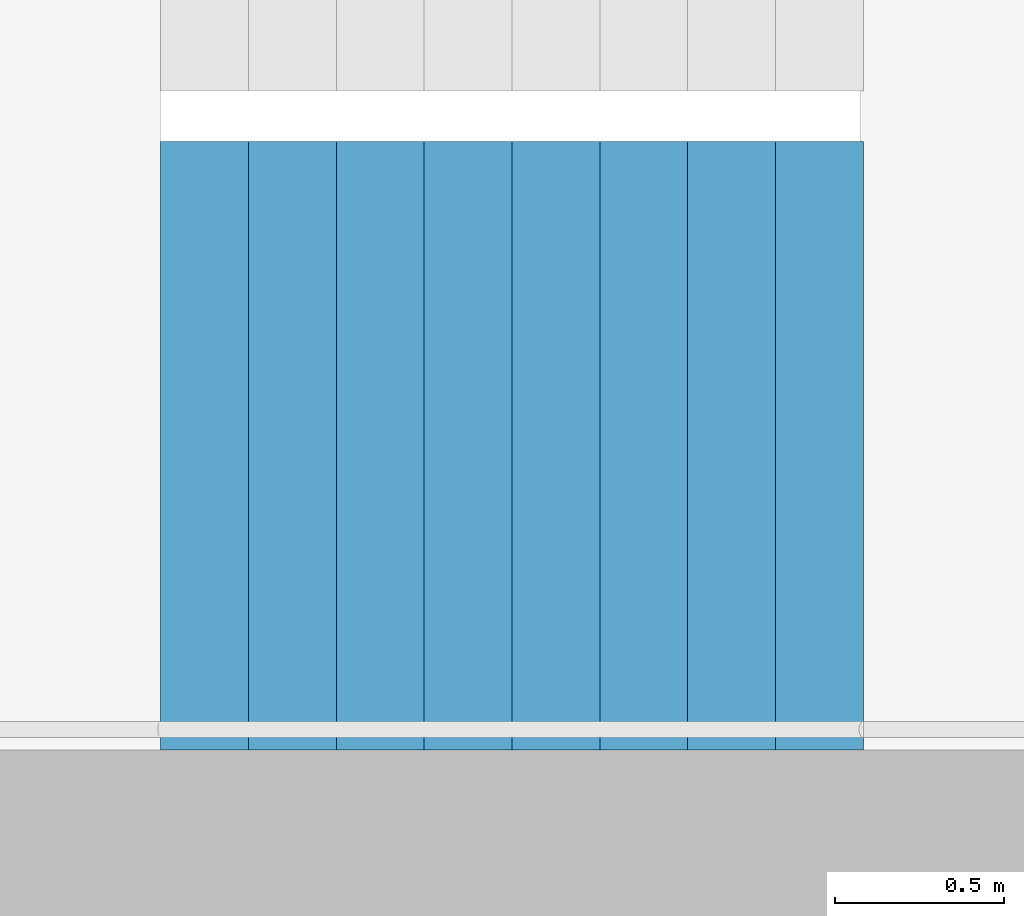
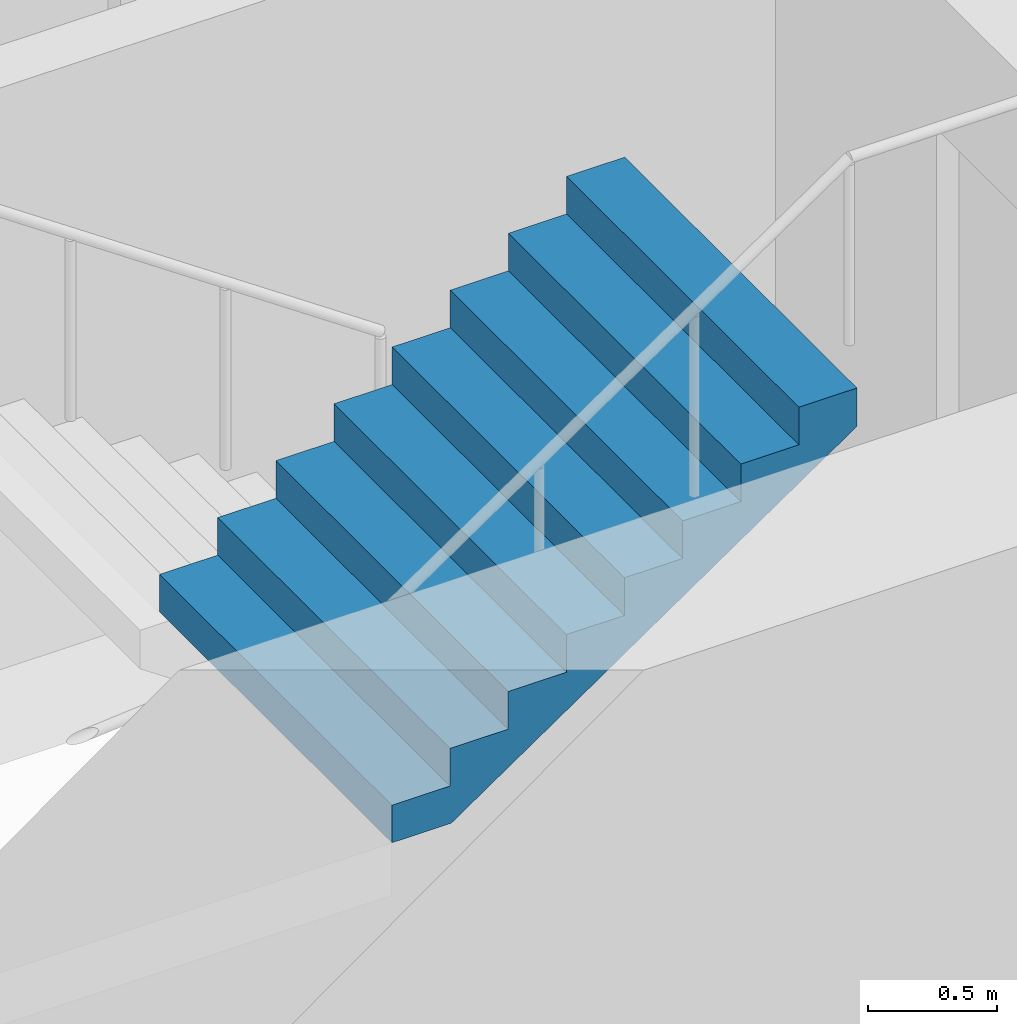
# One storey, part 18 of 26: 1 stair flight, 1 element without a shape of its own.
"""IFC4 building model written with IfcOpenShell, lengths in metres."""

import ifcopenshell
import ifcopenshell.guid

model = None  # the IFC model being written
_history = None  # IfcOwnerHistory: only IFC2X3 demands one
_inside = {}  # id of a spatial element -> (the spatial element, [elements in it])
_under = {}  # id of a project, library or spatial element -> (it, [spatial elements below it])
_declared = {}  # id of a project -> (the project, [libraries it declares])
_typed = {}  # id of a type object -> (the type object, [elements of that type])
_made_of = {}  # id of a material, layer set ... -> (it, [elements and type objects made of it])


def new_model(schema):
    """Start an empty IFC model of exactly this schema.

    Asked for "IFC4X3", IfcOpenShell would pick the latest addendum, in which some entities
    have other attributes; the version numbers below select the first issue.
    IFC2X3 requires an IfcOwnerHistory on every rooted entity: one is made here for all.
    """
    global model, _history
    if schema == "IFC4X3":
        model = ifcopenshell.file(schema_version=(4, 3, 0, 0))
    else:
        model = ifcopenshell.file(schema=schema)
    _inside.clear()
    _under.clear()
    _declared.clear()
    _typed.clear()
    _made_of.clear()
    _history = None
    if model.schema == "IFC2X3":
        org = make("IfcOrganization", Name="unknown")
        user = make(
            "IfcPersonAndOrganization",
            ThePerson=make("IfcPerson", FamilyName="unknown"),
            TheOrganization=org,
        )
        app = make(
            "IfcApplication",
            ApplicationDeveloper=org,
            Version="unknown",
            ApplicationFullName="unknown",
            ApplicationIdentifier="unknown",
        )
        _history = make(
            "IfcOwnerHistory",
            OwningUser=user,
            OwningApplication=app,
            ChangeAction="ADDED",
            CreationDate=0,
        )
    return model


def make(cls, **values):
    """One entity of the class cls with the attributes given. An attribute that is None is left unset."""
    return model.create_entity(
        cls, **{name: value for name, value in values.items() if value is not None}
    )


def rooted(cls, **values):
    """An entity with a GlobalId (a new one), such as an element, a storey or a relation."""
    return make(cls, GlobalId=ifcopenshell.guid.new(), OwnerHistory=_history, **values)


def si_unit(unit_type, name, prefix=None):
    """IfcSIUnit, for example si_unit("LENGTHUNIT", "METRE", prefix="MILLI")."""
    return make("IfcSIUnit", UnitType=unit_type, Prefix=prefix, Name=name)


def assignment(units):
    """IfcUnitAssignment: the units of a project."""
    return None if units is None else make("IfcUnitAssignment", Units=units)


def point(xyz):
    """IfcCartesianPoint."""
    return None if xyz is None else make("IfcCartesianPoint", Coordinates=xyz)


def direction(xyz):
    """IfcDirection."""
    return None if xyz is None else make("IfcDirection", DirectionRatios=xyz)


def frame(location, z_axis=None, x_axis=None):
    """IfcAxis2Placement3D, a coordinate frame: its origin and axes. An axis left out is left unset."""
    return make(
        "IfcAxis2Placement3D",
        Location=point(location),
        Axis=direction(z_axis),
        RefDirection=direction(x_axis),
    )


def origin():
    """The frame at (0, 0, 0) with its axes left unset."""
    return frame((0.0, 0.0, 0.0))


def place(relative_to, where):
    """IfcLocalPlacement: puts the frame where relative to a parent placement (None: the world)."""
    return make(
        "IfcLocalPlacement", PlacementRelTo=relative_to, RelativePlacement=where
    )


def context(
    kind, dimensions, precision=None, world=None, true_north=None, identifier=None
):
    """IfcGeometricRepresentationContext, for example the 3D "Model" context."""
    return make(
        "IfcGeometricRepresentationContext",
        ContextIdentifier=identifier,
        ContextType=kind,
        CoordinateSpaceDimension=dimensions,
        Precision=precision,
        WorldCoordinateSystem=world,
        TrueNorth=true_north,
    )


def subcontext(parent, identifier, kind, view, scale=None):
    """IfcGeometricRepresentationSubContext, for example "Body" below "Model"."""
    return make(
        "IfcGeometricRepresentationSubContext",
        ContextIdentifier=identifier,
        ContextType=kind,
        ParentContext=parent,
        TargetScale=scale,
        TargetView=view,
    )


def project(units=None, contexts=None):
    """IfcProject with its units and contexts."""
    return rooted(
        "IfcProject",
        Name="project",
        RepresentationContexts=contexts,
        UnitsInContext=assignment(units),
    )


def spatial(cls, under=None, at=None, **own):
    """A site, building, storey or space (cls), placed at a placement, below another one or the project."""
    s = rooted(cls, ObjectPlacement=at, **own)
    if under is not None:
        _under.setdefault(under.id(), (under, []))[1].append(s)
    return s


def point_list(points):
    """IfcCartesianPointList2D or 3D."""
    cls = (
        "IfcCartesianPointList2D" if len(points[0]) == 2 else "IfcCartesianPointList3D"
    )
    return make(cls, CoordList=points)


def triangles(points, corners, closed=None, point_numbers=None):
    """IfcTriangulatedFaceSet: each triangle names its three corners, points numbered from 1."""
    return make(
        "IfcTriangulatedFaceSet",
        Coordinates=point_list(points),
        Closed=closed,
        CoordIndex=corners,
        PnIndex=point_numbers,
    )


def shape(context_of_items, identifier, shape_type, items):
    """IfcShapeRepresentation: the items that make up one representation, for example the "Body"."""
    return make(
        "IfcShapeRepresentation",
        ContextOfItems=context_of_items,
        RepresentationIdentifier=identifier,
        RepresentationType=shape_type,
        Items=items,
    )


def material(Name=None, Category=None):
    """IfcMaterial."""
    return make("IfcMaterial", Name=Name, Category=Category)


def made_of(thing, what):
    """Note that an element or type object is made of a material, layer set ...; save() writes the relation."""
    if what is not None:
        _made_of.setdefault(what.id(), (what, []))[1].append(thing)
    return thing


def type_object(cls, material=None, **own):
    """A type object (cls), such as IfcWallType, which elements share."""
    return made_of(rooted(cls, **own), material)


def element(
    cls,
    number,
    at=None,
    inside=None,
    cuts=None,
    type_object=None,
    material=None,
    context=None,
    identifier="Body",
    shape_type=None,
    held_by="IfcProductDefinitionShape",
    body=None,
    shapes=None,
    **own,
):
    """One element of the class cls, such as IfcWall. Its Tag is "e" and its number.

    at: its placement. inside: the storey or other place that contains it. cuts: it is an
    opening in that element (IfcRelVoidsElement). A single representation is given by context,
    identifier, shape_type and body (its items); several are given by shapes. held_by: the class
    of the entity that holds the representations. save() writes the other relations.
    """
    e = rooted(cls, Tag="e%d" % number, ObjectPlacement=at, **own)
    if body is not None:
        shapes = [shape(context, identifier, shape_type, body)]
    if shapes is not None:
        e.Representation = make(held_by, Representations=shapes)
    if inside is not None:
        _inside.setdefault(inside.id(), (inside, []))[1].append(e)
    if cuts is not None:
        rooted(
            "IfcRelVoidsElement", RelatingBuildingElement=cuts, RelatedOpeningElement=e
        )
    if type_object is not None:
        _typed.setdefault(type_object.id(), (type_object, []))[1].append(e)
    return made_of(e, material)


def aggregate(whole, parts):
    """IfcRelAggregates: a whole, such as a stair, and the parts it consists of."""
    return rooted("IfcRelAggregates", RelatingObject=whole, RelatedObjects=parts)


def save(model, path):
    """Write the relations noted so far, then the file.

    IfcRelAggregates (storeys below a building ...), IfcRelContainedInSpatialStructure (elements
    in a storey), IfcRelDefinesByType, IfcRelAssociatesMaterial and IfcRelDeclares: one each for
    every whole, place, type object, material and project.
    """
    for whole, parts in _under.values():
        aggregate(whole, parts)
    for where, things in _inside.values():
        rooted(
            "IfcRelContainedInSpatialStructure",
            RelatedElements=things,
            RelatingStructure=where,
        )
    for kind, things in _typed.values():
        rooted("IfcRelDefinesByType", RelatedObjects=things, RelatingType=kind)
    for what, things in _made_of.values():
        rooted("IfcRelAssociatesMaterial", RelatedObjects=things, RelatingMaterial=what)
    for by, libraries in _declared.values():
        rooted("IfcRelDeclares", RelatingContext=by, RelatedDefinitions=libraries)
    model.write(path)


model = new_model("IFC4")

# Units and contexts
model_context = context("Model", 3, precision=1e-05, world=origin(), true_north=direction((0.0, 1.0)))
body_context = subcontext(model_context, "Body", "Model", "MODEL_VIEW")
ifc_project = project(units=[si_unit("LENGTHUNIT", "METRE"), si_unit("AREAUNIT", "SQUARE_METRE"), si_unit("VOLUMEUNIT", "CUBIC_METRE"), si_unit("PLANEANGLEUNIT", "RADIAN"), si_unit("MASSUNIT", "GRAM", prefix="KILO")], contexts=[model_context])

# Site, building, storey
site_placement = place(None, origin())
site = spatial("IfcSite", under=ifc_project, at=site_placement, CompositionType="ELEMENT")
building_placement = place(site_placement, origin())
building = spatial("IfcBuilding", under=site, at=building_placement, Name="Hakoniwa Tower and Hamabe Station Hall", CompositionType="ELEMENT")
storey_placement = place(building_placement, frame((0.0, 0.0, 209.0)))
storey = spatial("IfcBuildingStorey", under=building, at=storey_placement, Name="L59", CompositionType="ELEMENT", Elevation=209.0)

# Stair, stair flight
ifc_material_1 = material(Name="Concrete C40", Category="concrete")
stair_type = type_object("IfcStairType", Name="ESCAPE STAIR 1800", PredefinedType="HALF_TURN_STAIR", material=ifc_material_1)
stair_placement = place(storey_placement, origin())
stair = element("IfcStair", 1, at=stair_placement, inside=storey, type_object=stair_type, Name="Escape stair ST-2 L59", PredefinedType="HALF_TURN_STAIR")
ifc_material_2 = material(Name="Concrete C40", Category="concrete")
stair_flight_type = type_object("IfcStairFlightType", Name="STAIR FLIGHT 1800", PredefinedType="STRAIGHT", material=ifc_material_2)
stair_flight_placement = place(storey_placement, frame((-25.47998046875, -6.60009765625, 1.60009765625), z_axis=(0.0, 0.0, 1.0), x_axis=(1.0, 0.0, 0.0)))
stair_flight = element("IfcStairFlight", 2, at=stair_flight_placement, type_object=stair_flight_type, Name="ST-2 flight 2", NumberOfRisers=9, NumberOfTreads=8, PredefinedType="STRAIGHT", RiserHeight=0.177777778, TreadLength=0.26, context=body_context, shape_type="Tessellation", body=[
    triangles([(0.0, 0.89990234375, 0.0), (0.260009765625, 0.89990234375, 0.0), (0.265625, 0.89990234375, 0.0), (0.52001953125, 0.89990234375, 0.174072265625), (0.780029296875, 0.89990234375, 0.351806640625), (1.0400390625, 0.89990234375, 0.529541015625), (1.300048828125, 0.89990234375, 0.707275390625), (1.56005859375, 0.89990234375, 0.885009765625), (1.820068359375, 0.89990234375, 1.062744140625), (2.080078125, 0.89990234375, 1.24072265625), (2.080078125, 0.89990234375, 1.422119140625), (1.820068359375, 0.89990234375, 1.422119140625), (1.820068359375, 0.89990234375, 1.244384765625), (1.56005859375, 0.89990234375, 1.244384765625), (1.56005859375, 0.89990234375, 1.066650390625), (1.300048828125, 0.89990234375, 1.066650390625), (1.300048828125, 0.89990234375, 0.888916015625), (1.0400390625, 0.89990234375, 0.888916015625), (1.0400390625, 0.89990234375, 0.711181640625), (0.780029296875, 0.89990234375, 0.711181640625), (0.780029296875, 0.89990234375, 0.533447265625), (0.52001953125, 0.89990234375, 0.533447265625), (0.52001953125, 0.89990234375, 0.35546875), (0.265625, 0.89990234375, 0.35546875), (0.260009765625, 0.89990234375, 0.35546875), (0.260009765625, 0.89990234375, 0.177734375), (0.0, 0.89990234375, 0.177734375), (0.0, 0.06005859375, 0.0), (0.260009765625, 0.06005859375, 0.0), (0.265625, 0.06005859375, 0.0), (0.52001953125, 0.06005859375, 0.174072265625), (0.780029296875, 0.06005859375, 0.351806640625), (1.0400390625, 0.06005859375, 0.529541015625), (1.300048828125, 0.06005859375, 0.707275390625), (1.56005859375, 0.06005859375, 0.885009765625), (1.820068359375, 0.06005859375, 1.062744140625), (2.080078125, 0.06005859375, 1.24072265625), (2.080078125, 0.06005859375, 1.422119140625), (1.820068359375, 0.06005859375, 1.422119140625), (1.820068359375, 0.06005859375, 1.244384765625), (1.56005859375, 0.06005859375, 1.244384765625), (1.56005859375, 0.06005859375, 1.066650390625), (1.300048828125, 0.06005859375, 1.066650390625), (1.300048828125, 0.06005859375, 0.888916015625), (1.0400390625, 0.06005859375, 0.888916015625), (1.0400390625, 0.06005859375, 0.711181640625), (0.780029296875, 0.06005859375, 0.711181640625), (0.780029296875, 0.06005859375, 0.533447265625), (0.52001953125, 0.06005859375, 0.533447265625), (0.52001953125, 0.06005859375, 0.35546875), (0.265625, 0.06005859375, 0.35546875), (0.260009765625, 0.06005859375, 0.35546875), (0.260009765625, 0.06005859375, 0.177734375), (0.0, 0.06005859375, 0.177734375), (0.0, 0.04296875, 0.0), (0.260009765625, 0.04296875, 0.0), (0.265625, 0.04296875, 0.0), (0.52001953125, 0.04296875, 0.174072265625), (0.780029296875, 0.04296875, 0.351806640625), (1.0400390625, 0.04296875, 0.529541015625), (1.300048828125, 0.04296875, 0.707275390625), (1.56005859375, 0.04296875, 0.885009765625), (1.820068359375, 0.04296875, 1.062744140625), (2.080078125, 0.04296875, 1.24072265625), (2.080078125, 0.04296875, 1.422119140625), (1.820068359375, 0.04296875, 1.422119140625), (1.820068359375, 0.04296875, 1.244384765625), (1.56005859375, 0.04296875, 1.244384765625), (1.56005859375, 0.04296875, 1.066650390625), (1.300048828125, 0.04296875, 1.066650390625), (1.300048828125, 0.04296875, 0.888916015625), (1.0400390625, 0.04296875, 0.888916015625), (1.0400390625, 0.04296875, 0.711181640625), (0.780029296875, 0.04296875, 0.711181640625), (0.780029296875, 0.04296875, 0.533447265625), (0.52001953125, 0.04296875, 0.533447265625), (0.52001953125, 0.04296875, 0.35546875), (0.265625, 0.04296875, 0.35546875), (0.260009765625, 0.04296875, 0.35546875), (0.260009765625, 0.04296875, 0.177734375), (0.0, 0.04296875, 0.177734375), (0.0, 0.025634765625, 0.0), (0.260009765625, 0.025634765625, 0.0), (0.265625, 0.025634765625, 0.0), (0.52001953125, 0.025634765625, 0.174072265625), (0.780029296875, 0.025634765625, 0.351806640625), (1.0400390625, 0.025634765625, 0.529541015625), (1.300048828125, 0.025634765625, 0.707275390625), (1.56005859375, 0.025634765625, 0.885009765625), (1.820068359375, 0.025634765625, 1.062744140625), (2.080078125, 0.025634765625, 1.24072265625), (2.080078125, 0.025634765625, 1.422119140625), (1.820068359375, 0.025634765625, 1.422119140625), (1.820068359375, 0.025634765625, 1.244384765625), (1.56005859375, 0.025634765625, 1.244384765625), (1.56005859375, 0.025634765625, 1.066650390625), (1.300048828125, 0.025634765625, 1.066650390625), (1.300048828125, 0.025634765625, 0.888916015625), (1.0400390625, 0.025634765625, 0.888916015625), (1.0400390625, 0.025634765625, 0.711181640625), (0.780029296875, 0.025634765625, 0.711181640625), (0.780029296875, 0.025634765625, 0.533447265625), (0.52001953125, 0.025634765625, 0.533447265625), (0.52001953125, 0.025634765625, 0.35546875), (0.265625, 0.025634765625, 0.35546875), (0.260009765625, 0.025634765625, 0.35546875), (0.260009765625, 0.025634765625, 0.177734375), (0.0, 0.025634765625, 0.177734375), (0.0, 0.008544921875, 0.0), (0.260009765625, 0.008544921875, 0.0), (0.265625, 0.008544921875, 0.0), (0.52001953125, 0.008544921875, 0.174072265625), (0.780029296875, 0.008544921875, 0.351806640625), (1.0400390625, 0.008544921875, 0.529541015625), (1.300048828125, 0.008544921875, 0.707275390625), (1.56005859375, 0.008544921875, 0.885009765625), (1.820068359375, 0.008544921875, 1.062744140625), (2.080078125, 0.008544921875, 1.24072265625), (2.080078125, 0.008544921875, 1.422119140625), (1.820068359375, 0.008544921875, 1.422119140625), (1.820068359375, 0.008544921875, 1.244384765625), (1.56005859375, 0.008544921875, 1.244384765625), (1.56005859375, 0.008544921875, 1.066650390625), (1.300048828125, 0.008544921875, 1.066650390625), (1.300048828125, 0.008544921875, 0.888916015625), (1.0400390625, 0.008544921875, 0.888916015625), (1.0400390625, 0.008544921875, 0.711181640625), (0.780029296875, 0.008544921875, 0.711181640625), (0.780029296875, 0.008544921875, 0.533447265625), (0.52001953125, 0.008544921875, 0.533447265625), (0.52001953125, 0.008544921875, 0.35546875), (0.265625, 0.008544921875, 0.35546875), (0.260009765625, 0.008544921875, 0.35546875), (0.260009765625, 0.008544921875, 0.177734375), (0.0, 0.008544921875, 0.177734375), (0.0, -0.008544921875, 0.0), (0.260009765625, -0.008544921875, 0.0), (0.265625, -0.008544921875, 0.0), (0.52001953125, -0.008544921875, 0.174072265625), (0.780029296875, -0.008544921875, 0.351806640625), (1.0400390625, -0.008544921875, 0.529541015625), (1.300048828125, -0.008544921875, 0.707275390625), (1.56005859375, -0.008544921875, 0.885009765625), (1.820068359375, -0.008544921875, 1.062744140625), (2.080078125, -0.008544921875, 1.24072265625), (2.080078125, -0.008544921875, 1.422119140625), (1.820068359375, -0.008544921875, 1.422119140625), (1.820068359375, -0.008544921875, 1.244384765625), (1.56005859375, -0.008544921875, 1.244384765625), (1.56005859375, -0.008544921875, 1.066650390625), (1.300048828125, -0.008544921875, 1.066650390625), (1.300048828125, -0.008544921875, 0.888916015625), (1.0400390625, -0.008544921875, 0.888916015625), (1.0400390625, -0.008544921875, 0.711181640625), (0.780029296875, -0.008544921875, 0.711181640625), (0.780029296875, -0.008544921875, 0.533447265625), (0.52001953125, -0.008544921875, 0.533447265625), (0.52001953125, -0.008544921875, 0.35546875), (0.265625, -0.008544921875, 0.35546875), (0.260009765625, -0.008544921875, 0.35546875), (0.260009765625, -0.008544921875, 0.177734375), (0.0, -0.008544921875, 0.177734375), (0.0, -0.025634765625, 0.0), (0.260009765625, -0.025634765625, 0.0), (0.265625, -0.025634765625, 0.0), (0.52001953125, -0.025634765625, 0.174072265625), (0.780029296875, -0.025634765625, 0.351806640625), (1.0400390625, -0.025634765625, 0.529541015625), (1.300048828125, -0.025634765625, 0.707275390625), (1.56005859375, -0.025634765625, 0.885009765625), (1.820068359375, -0.025634765625, 1.062744140625), (2.080078125, -0.025634765625, 1.24072265625), (2.080078125, -0.025634765625, 1.422119140625), (1.820068359375, -0.025634765625, 1.422119140625), (1.820068359375, -0.025634765625, 1.244384765625), (1.56005859375, -0.025634765625, 1.244384765625), (1.56005859375, -0.025634765625, 1.066650390625), (1.300048828125, -0.025634765625, 1.066650390625), (1.300048828125, -0.025634765625, 0.888916015625), (1.0400390625, -0.025634765625, 0.888916015625), (1.0400390625, -0.025634765625, 0.711181640625), (0.780029296875, -0.025634765625, 0.711181640625), (0.780029296875, -0.025634765625, 0.533447265625), (0.52001953125, -0.025634765625, 0.533447265625), (0.52001953125, -0.025634765625, 0.35546875), (0.265625, -0.025634765625, 0.35546875), (0.260009765625, -0.025634765625, 0.35546875), (0.260009765625, -0.025634765625, 0.177734375), (0.0, -0.025634765625, 0.177734375), (0.0, -0.04296875, 0.0), (0.260009765625, -0.04296875, 0.0), (0.265625, -0.04296875, 0.0), (0.52001953125, -0.04296875, 0.174072265625), (0.780029296875, -0.04296875, 0.351806640625), (1.0400390625, -0.04296875, 0.529541015625), (1.300048828125, -0.04296875, 0.707275390625), (1.56005859375, -0.04296875, 0.885009765625), (1.820068359375, -0.04296875, 1.062744140625), (2.080078125, -0.04296875, 1.24072265625), (2.080078125, -0.04296875, 1.422119140625), (1.820068359375, -0.04296875, 1.422119140625), (1.820068359375, -0.04296875, 1.244384765625), (1.56005859375, -0.04296875, 1.244384765625), (1.56005859375, -0.04296875, 1.066650390625), (1.300048828125, -0.04296875, 1.066650390625), (1.300048828125, -0.04296875, 0.888916015625), (1.0400390625, -0.04296875, 0.888916015625), (1.0400390625, -0.04296875, 0.711181640625), (0.780029296875, -0.04296875, 0.711181640625), (0.780029296875, -0.04296875, 0.533447265625), (0.52001953125, -0.04296875, 0.533447265625), (0.52001953125, -0.04296875, 0.35546875), (0.265625, -0.04296875, 0.35546875), (0.260009765625, -0.04296875, 0.35546875), (0.260009765625, -0.04296875, 0.177734375), (0.0, -0.04296875, 0.177734375), (0.0, -0.06005859375, 0.0), (0.260009765625, -0.06005859375, 0.0), (0.265625, -0.06005859375, 0.0), (0.52001953125, -0.06005859375, 0.174072265625), (0.780029296875, -0.06005859375, 0.351806640625), (1.0400390625, -0.06005859375, 0.529541015625), (1.300048828125, -0.06005859375, 0.707275390625), (1.56005859375, -0.06005859375, 0.885009765625), (1.820068359375, -0.06005859375, 1.062744140625), (2.080078125, -0.06005859375, 1.24072265625), (2.080078125, -0.06005859375, 1.422119140625), (1.820068359375, -0.06005859375, 1.422119140625), (1.820068359375, -0.06005859375, 1.244384765625), (1.56005859375, -0.06005859375, 1.244384765625), (1.56005859375, -0.06005859375, 1.066650390625), (1.300048828125, -0.06005859375, 1.066650390625), (1.300048828125, -0.06005859375, 0.888916015625), (1.0400390625, -0.06005859375, 0.888916015625), (1.0400390625, -0.06005859375, 0.711181640625), (0.780029296875, -0.06005859375, 0.711181640625), (0.780029296875, -0.06005859375, 0.533447265625), (0.52001953125, -0.06005859375, 0.533447265625), (0.52001953125, -0.06005859375, 0.35546875), (0.265625, -0.06005859375, 0.35546875), (0.260009765625, -0.06005859375, 0.35546875), (0.260009765625, -0.06005859375, 0.177734375), (0.0, -0.06005859375, 0.177734375), (0.0, -0.89990234375, 0.0), (0.260009765625, -0.89990234375, 0.0), (0.265625, -0.89990234375, 0.0), (0.52001953125, -0.89990234375, 0.174072265625), (0.780029296875, -0.89990234375, 0.351806640625), (1.0400390625, -0.89990234375, 0.529541015625), (1.300048828125, -0.89990234375, 0.707275390625), (1.56005859375, -0.89990234375, 0.885009765625), (1.820068359375, -0.89990234375, 1.062744140625), (2.080078125, -0.89990234375, 1.24072265625), (2.080078125, -0.89990234375, 1.422119140625), (1.820068359375, -0.89990234375, 1.422119140625), (1.820068359375, -0.89990234375, 1.244384765625), (1.56005859375, -0.89990234375, 1.244384765625), (1.56005859375, -0.89990234375, 1.066650390625), (1.300048828125, -0.89990234375, 1.066650390625), (1.300048828125, -0.89990234375, 0.888916015625), (1.0400390625, -0.89990234375, 0.888916015625), (1.0400390625, -0.89990234375, 0.711181640625), (0.780029296875, -0.89990234375, 0.711181640625), (0.780029296875, -0.89990234375, 0.533447265625), (0.52001953125, -0.89990234375, 0.533447265625), (0.52001953125, -0.89990234375, 0.35546875), (0.265625, -0.89990234375, 0.35546875), (0.260009765625, -0.89990234375, 0.35546875), (0.260009765625, -0.89990234375, 0.177734375), (0.0, -0.89990234375, 0.177734375)], [[2, 27, 26], [245, 269, 270], [2, 1, 27], [245, 270, 244], [3, 25, 24], [246, 267, 268], [3, 26, 25], [246, 268, 269], [3, 2, 26], [246, 269, 245], [4, 24, 23], [247, 266, 267], [4, 3, 24], [247, 267, 246], [5, 22, 21], [248, 264, 265], [5, 23, 22], [248, 265, 266], [5, 4, 23], [248, 266, 247], [6, 20, 19], [249, 262, 263], [6, 21, 20], [249, 263, 264], [6, 5, 21], [249, 264, 248], [7, 18, 17], [250, 260, 261], [7, 19, 18], [250, 261, 262], [7, 6, 19], [250, 262, 249], [8, 16, 15], [251, 258, 259], [8, 17, 16], [251, 259, 260], [8, 7, 17], [251, 260, 250], [9, 14, 13], [252, 256, 257], [9, 15, 14], [252, 257, 258], [9, 8, 15], [252, 258, 251], [10, 12, 11], [253, 254, 255], [10, 13, 12], [253, 255, 256], [10, 9, 13], [253, 256, 252], [1, 2, 29], [1, 29, 28], [28, 29, 56], [28, 56, 55], [55, 56, 83], [55, 83, 82], [82, 83, 110], [82, 110, 109], [109, 110, 137], [109, 137, 136], [136, 137, 164], [136, 164, 163], [163, 164, 191], [163, 191, 190], [190, 191, 218], [190, 218, 217], [217, 218, 245], [217, 245, 244], [2, 3, 30], [2, 30, 29], [29, 30, 57], [29, 57, 56], [56, 57, 84], [56, 84, 83], [83, 84, 111], [83, 111, 110], [110, 111, 138], [110, 138, 137], [137, 138, 165], [137, 165, 164], [164, 165, 192], [164, 192, 191], [191, 192, 219], [191, 219, 218], [218, 219, 246], [218, 246, 245], [3, 4, 31], [3, 31, 30], [30, 31, 58], [30, 58, 57], [57, 58, 85], [57, 85, 84], [84, 85, 112], [84, 112, 111], [111, 112, 139], [111, 139, 138], [138, 139, 166], [138, 166, 165], [165, 166, 193], [165, 193, 192], [192, 193, 220], [192, 220, 219], [219, 220, 247], [219, 247, 246], [4, 5, 32], [4, 32, 31], [31, 32, 59], [31, 59, 58], [58, 59, 86], [58, 86, 85], [85, 86, 113], [85, 113, 112], [112, 113, 140], [112, 140, 139], [139, 140, 167], [139, 167, 166], [166, 167, 194], [166, 194, 193], [193, 194, 221], [193, 221, 220], [220, 221, 248], [220, 248, 247], [5, 6, 33], [5, 33, 32], [32, 33, 60], [32, 60, 59], [59, 60, 87], [59, 87, 86], [86, 87, 114], [86, 114, 113], [113, 114, 141], [113, 141, 140], [140, 141, 168], [140, 168, 167], [167, 168, 195], [167, 195, 194], [194, 195, 222], [194, 222, 221], [221, 222, 249], [221, 249, 248], [6, 7, 34], [6, 34, 33], [33, 34, 61], [33, 61, 60], [60, 61, 88], [60, 88, 87], [87, 88, 115], [87, 115, 114], [114, 115, 142], [114, 142, 141], [141, 142, 169], [141, 169, 168], [168, 169, 196], [168, 196, 195], [195, 196, 223], [195, 223, 222], [222, 223, 250], [222, 250, 249], [7, 8, 35], [7, 35, 34], [34, 35, 62], [34, 62, 61], [61, 62, 89], [61, 89, 88], [88, 89, 116], [88, 116, 115], [115, 116, 143], [115, 143, 142], [142, 143, 170], [142, 170, 169], [169, 170, 197], [169, 197, 196], [196, 197, 224], [196, 224, 223], [223, 224, 251], [223, 251, 250], [8, 9, 36], [8, 36, 35], [35, 36, 63], [35, 63, 62], [62, 63, 90], [62, 90, 89], [89, 90, 117], [89, 117, 116], [116, 117, 144], [116, 144, 143], [143, 144, 171], [143, 171, 170], [170, 171, 198], [170, 198, 197], [197, 198, 225], [197, 225, 224], [224, 225, 252], [224, 252, 251], [9, 10, 37], [9, 37, 36], [36, 37, 64], [36, 64, 63], [63, 64, 91], [63, 91, 90], [90, 91, 118], [90, 118, 117], [117, 118, 145], [117, 145, 144], [144, 145, 172], [144, 172, 171], [171, 172, 199], [171, 199, 198], [198, 199, 226], [198, 226, 225], [225, 226, 253], [225, 253, 252], [10, 11, 38], [10, 38, 37], [37, 38, 65], [37, 65, 64], [64, 65, 92], [64, 92, 91], [91, 92, 119], [91, 119, 118], [118, 119, 146], [118, 146, 145], [145, 146, 173], [145, 173, 172], [172, 173, 200], [172, 200, 199], [199, 200, 227], [199, 227, 226], [226, 227, 254], [226, 254, 253], [11, 12, 39], [11, 39, 38], [38, 39, 66], [38, 66, 65], [65, 66, 93], [65, 93, 92], [92, 93, 120], [92, 120, 119], [119, 120, 147], [119, 147, 146], [146, 147, 174], [146, 174, 173], [173, 174, 201], [173, 201, 200], [200, 201, 228], [200, 228, 227], [227, 228, 255], [227, 255, 254], [12, 13, 40], [12, 40, 39], [39, 40, 67], [39, 67, 66], [66, 67, 94], [66, 94, 93], [93, 94, 121], [93, 121, 120], [120, 121, 148], [120, 148, 147], [147, 148, 175], [147, 175, 174], [174, 175, 202], [174, 202, 201], [201, 202, 229], [201, 229, 228], [228, 229, 256], [228, 256, 255], [13, 14, 41], [13, 41, 40], [40, 41, 68], [40, 68, 67], [67, 68, 95], [67, 95, 94], [94, 95, 122], [94, 122, 121], [121, 122, 149], [121, 149, 148], [148, 149, 176], [148, 176, 175], [175, 176, 203], [175, 203, 202], [202, 203, 230], [202, 230, 229], [229, 230, 257], [229, 257, 256], [14, 15, 42], [14, 42, 41], [41, 42, 69], [41, 69, 68], [68, 69, 96], [68, 96, 95], [95, 96, 123], [95, 123, 122], [122, 123, 150], [122, 150, 149], [149, 150, 177], [149, 177, 176], [176, 177, 204], [176, 204, 203], [203, 204, 231], [203, 231, 230], [230, 231, 258], [230, 258, 257], [15, 16, 43], [15, 43, 42], [42, 43, 70], [42, 70, 69], [69, 70, 97], [69, 97, 96], [96, 97, 124], [96, 124, 123], [123, 124, 151], [123, 151, 150], [150, 151, 178], [150, 178, 177], [177, 178, 205], [177, 205, 204], [204, 205, 232], [204, 232, 231], [231, 232, 259], [231, 259, 258], [16, 17, 44], [16, 44, 43], [43, 44, 71], [43, 71, 70], [70, 71, 98], [70, 98, 97], [97, 98, 125], [97, 125, 124], [124, 125, 152], [124, 152, 151], [151, 152, 179], [151, 179, 178], [178, 179, 206], [178, 206, 205], [205, 206, 233], [205, 233, 232], [232, 233, 260], [232, 260, 259], [17, 18, 45], [17, 45, 44], [44, 45, 72], [44, 72, 71], [71, 72, 99], [71, 99, 98], [98, 99, 126], [98, 126, 125], [125, 126, 153], [125, 153, 152], [152, 153, 180], [152, 180, 179], [179, 180, 207], [179, 207, 206], [206, 207, 234], [206, 234, 233], [233, 234, 261], [233, 261, 260], [18, 19, 46], [18, 46, 45], [45, 46, 73], [45, 73, 72], [72, 73, 100], [72, 100, 99], [99, 100, 127], [99, 127, 126], [126, 127, 154], [126, 154, 153], [153, 154, 181], [153, 181, 180], [180, 181, 208], [180, 208, 207], [207, 208, 235], [207, 235, 234], [234, 235, 262], [234, 262, 261], [19, 20, 47], [19, 47, 46], [46, 47, 74], [46, 74, 73], [73, 74, 101], [73, 101, 100], [100, 101, 128], [100, 128, 127], [127, 128, 155], [127, 155, 154], [154, 155, 182], [154, 182, 181], [181, 182, 209], [181, 209, 208], [208, 209, 236], [208, 236, 235], [235, 236, 263], [235, 263, 262], [20, 21, 48], [20, 48, 47], [47, 48, 75], [47, 75, 74], [74, 75, 102], [74, 102, 101], [101, 102, 129], [101, 129, 128], [128, 129, 156], [128, 156, 155], [155, 156, 183], [155, 183, 182], [182, 183, 210], [182, 210, 209], [209, 210, 237], [209, 237, 236], [236, 237, 264], [236, 264, 263], [21, 22, 49], [21, 49, 48], [48, 49, 76], [48, 76, 75], [75, 76, 103], [75, 103, 102], [102, 103, 130], [102, 130, 129], [129, 130, 157], [129, 157, 156], [156, 157, 184], [156, 184, 183], [183, 184, 211], [183, 211, 210], [210, 211, 238], [210, 238, 237], [237, 238, 265], [237, 265, 264], [22, 23, 50], [22, 50, 49], [49, 50, 77], [49, 77, 76], [76, 77, 104], [76, 104, 103], [103, 104, 131], [103, 131, 130], [130, 131, 158], [130, 158, 157], [157, 158, 185], [157, 185, 184], [184, 185, 212], [184, 212, 211], [211, 212, 239], [211, 239, 238], [238, 239, 266], [238, 266, 265], [23, 24, 51], [23, 51, 50], [50, 51, 78], [50, 78, 77], [77, 78, 105], [77, 105, 104], [104, 105, 132], [104, 132, 131], [131, 132, 159], [131, 159, 158], [158, 159, 186], [158, 186, 185], [185, 186, 213], [185, 213, 212], [212, 213, 240], [212, 240, 239], [239, 240, 267], [239, 267, 266], [24, 25, 52], [24, 52, 51], [51, 52, 79], [51, 79, 78], [78, 79, 106], [78, 106, 105], [105, 106, 133], [105, 133, 132], [132, 133, 160], [132, 160, 159], [159, 160, 187], [159, 187, 186], [186, 187, 214], [186, 214, 213], [213, 214, 241], [213, 241, 240], [240, 241, 268], [240, 268, 267], [25, 26, 53], [25, 53, 52], [52, 53, 80], [52, 80, 79], [79, 80, 107], [79, 107, 106], [106, 107, 134], [106, 134, 133], [133, 134, 161], [133, 161, 160], [160, 161, 188], [160, 188, 187], [187, 188, 215], [187, 215, 214], [214, 215, 242], [214, 242, 241], [241, 242, 269], [241, 269, 268], [26, 27, 54], [26, 54, 53], [53, 54, 81], [53, 81, 80], [80, 81, 108], [80, 108, 107], [107, 108, 135], [107, 135, 134], [134, 135, 162], [134, 162, 161], [161, 162, 189], [161, 189, 188], [188, 189, 216], [188, 216, 215], [215, 216, 243], [215, 243, 242], [242, 243, 270], [242, 270, 269], [27, 1, 28], [27, 28, 54], [54, 28, 55], [54, 55, 81], [81, 55, 82], [81, 82, 108], [108, 82, 109], [108, 109, 135], [135, 109, 136], [135, 136, 162], [162, 136, 163], [162, 163, 189], [189, 163, 190], [189, 190, 216], [216, 190, 217], [216, 217, 243], [243, 217, 244], [243, 244, 270]], closed=True),
])
aggregate(stair, [stair_flight])

save(model, "model.ifc")
